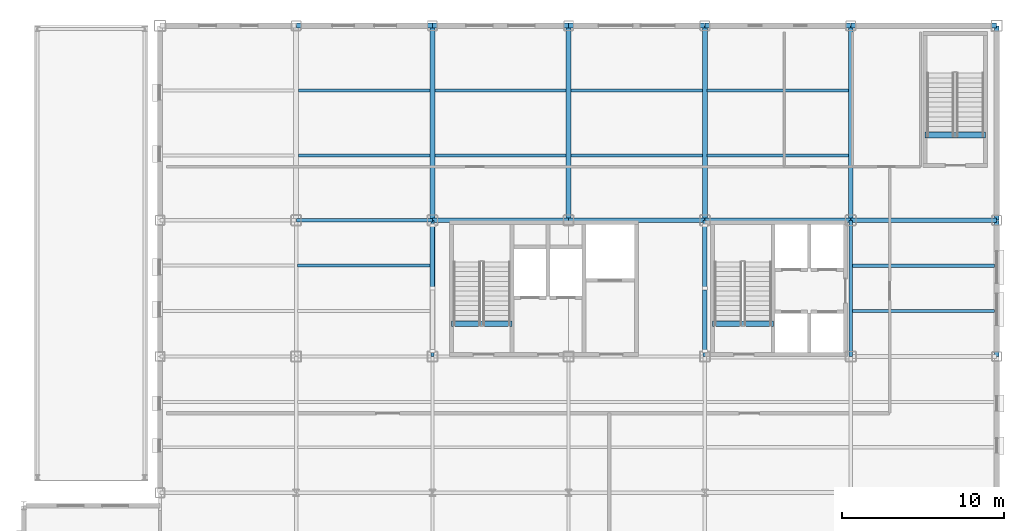
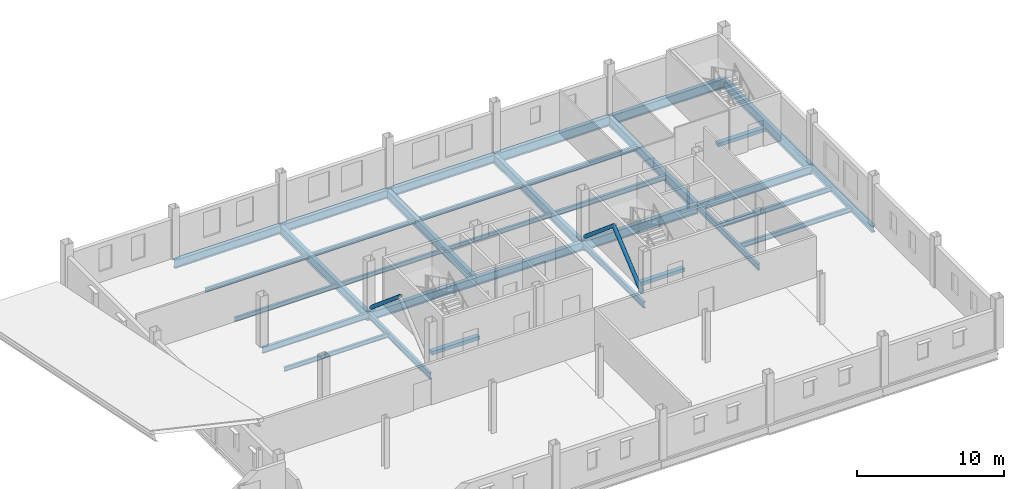
# One storey, part 38 of 75: 33 beams, 3 members.
"""IFC4 building model written with IfcOpenShell, lengths in metres."""

from ifc_helpers import new_model, si_unit, direction, frame, origin, origin_2d, place, context, subcontext, project, spatial, rectangle, hollow_circle, i_section, extrude, material, material_profile, profile_set, type_object, element, save


model = new_model("IFC4")

# Units and contexts
model_context = context("Model", 3, precision=1e-05, world=origin(), true_north=direction((0.0, 1.0)))
body_context = subcontext(model_context, "Body", "Model", "MODEL_VIEW")
ifc_project = project(units=[si_unit("LENGTHUNIT", "METRE"), si_unit("AREAUNIT", "SQUARE_METRE"), si_unit("VOLUMEUNIT", "CUBIC_METRE"), si_unit("PLANEANGLEUNIT", "RADIAN"), si_unit("MASSUNIT", "GRAM", prefix="KILO")], contexts=[model_context])

# Site, building, storey
site_placement = place(None, origin())
site = spatial("IfcSite", under=ifc_project, at=site_placement, CompositionType="ELEMENT")
building_placement = place(site_placement, origin())
building = spatial("IfcBuilding", under=site, at=building_placement, Name="Yukiwa Park Conservatory and Herbarium", CompositionType="ELEMENT")
storey_placement = place(building_placement, frame((0.0, 0.0, 4.800048828125)))
storey = spatial("IfcBuildingStorey", under=building, at=storey_placement, Name="L01", CompositionType="ELEMENT", Elevation=4.800048828125)

# Beams
ifc_material_1 = material(Name="Steel Q355D", Category="steel")
ifc_material_profile_1 = material_profile(ifc_material_1, i_section(OverallWidth=0.199951171875, OverallDepth=0.5, WebThickness=0.010009765625, FlangeThickness=0.01611328125, FilletRadius=0.02001953125, at=origin_2d()), Name="HN 500x200x10x16")
ifc_profile_set_1 = profile_set([ifc_material_profile_1], Name="Steel Q355D")
beam_type_1 = type_object("IfcBeamType", Name="BM-GRD-HN500", PredefinedType="BEAM", material=ifc_profile_set_1)
for number, where, z_axis, x_axis, name in (
    (1, (124.805908203125, 103.199951171875, -0.489990234375), (1.0, 0.0, 0.0), (0.0, 1.0, 0.0), "L01 grid beam X-86"),
    (2, (133.199951171875, 94.805908203125, -0.489990234375), (0.0, 1.0, 0.0), (-1.0, 0.0, 0.0), "L01 grid girder Y-166"),
    (3, (150.0, 94.805908203125, -0.489990234375), (0.0, 1.0, 0.0), (-1.0, 0.0, 0.0), "L01 grid girder Y-173"),
    (4, (159.0, 94.805908203125, -0.489990234375), (0.0, 1.0, 0.0), (-1.0, 0.0, 0.0), "L01 grid girder Y-177"),
):
    element("IfcBeam", number, at=place(storey_placement, frame(where, z_axis=z_axis, x_axis=x_axis)), inside=storey, type_object=beam_type_1, Name=name, PredefinedType="BEAM", context=body_context, shape_type="SweptSolid", body=[
        extrude(i_section(OverallWidth=0.199951171875, OverallDepth=0.5, WebThickness=0.010009765625, FlangeThickness=0.01611328125, FilletRadius=0.02001953125, at=origin_2d()), origin(), (0.0, 0.0, 1.0), 8.38818359375),
    ])
ifc_material_2 = material(Name="Steel Q355D", Category="steel")
ifc_material_profile_2 = material_profile(ifc_material_2, i_section(OverallWidth=0.25, OverallDepth=0.64990234375, WebThickness=0.011962890625, FlangeThickness=0.02001953125, FilletRadius=0.02392578125, at=origin_2d()), Name="HN 650x250x12x20")
ifc_profile_set_2 = profile_set([ifc_material_profile_2], Name="Steel Q355D")
beam_type_2 = type_object("IfcBeamType", Name="BM-GRD-HN650", PredefinedType="BEAM", material=ifc_profile_set_2)
beam_1_placement = place(storey_placement, frame((159.006103515625, 103.199951171875, -0.56494140625), z_axis=(1.0, 0.0, 0.0), x_axis=(0.0, 1.0, 0.0)))
element("IfcBeam", 5, at=beam_1_placement, inside=storey, type_object=beam_type_2, Name="L01 grid beam X-90", PredefinedType="BEAM", context=body_context, shape_type="SweptSolid", body=[
    extrude(i_section(OverallWidth=0.25, OverallDepth=0.64990234375, WebThickness=0.011962890625, FlangeThickness=0.02001953125, FilletRadius=0.02392578125, at=origin_2d()), origin(), (0.0, 0.0, 1.0), 8.98779296875),
])
ifc_material_3 = material(Name="Steel Q355D", Category="steel")
ifc_material_profile_3 = material_profile(ifc_material_3, i_section(OverallWidth=0.300048828125, OverallDepth=0.75, WebThickness=0.012939453125, FlangeThickness=0.02392578125, FilletRadius=0.028076171875, at=origin_2d()), Name="HN 750x300x13x24")
ifc_profile_set_3 = profile_set([ifc_material_profile_3], Name="Steel Q355D")
beam_type_3 = type_object("IfcBeamType", Name="BM-GRD-HN750", PredefinedType="BEAM", material=ifc_profile_set_3)
for number, where, z_axis, x_axis, name in (
    (6, (133.199951171875, 103.2060546875, -0.614990234375), (0.0, 1.0, 0.0), (-1.0, 0.0, 0.0), "L01 grid girder Y-167"),
    (7, (141.60009765625, 103.2060546875, -0.614990234375), (0.0, 1.0, 0.0), (-1.0, 0.0, 0.0), "L01 grid girder Y-170"),
    (8, (150.0, 103.2060546875, -0.614990234375), (0.0, 1.0, 0.0), (-1.0, 0.0, 0.0), "L01 grid girder Y-174"),
    (9, (159.0, 103.2060546875, -0.614990234375), (0.0, 1.0, 0.0), (-1.0, 0.0, 0.0), "L01 grid girder Y-178"),
):
    element("IfcBeam", number, at=place(storey_placement, frame(where, z_axis=z_axis, x_axis=x_axis)), inside=storey, type_object=beam_type_3, Name=name, PredefinedType="BEAM", context=body_context, shape_type="SweptSolid", body=[
        extrude(i_section(OverallWidth=0.300048828125, OverallDepth=0.75, WebThickness=0.012939453125, FlangeThickness=0.02392578125, FilletRadius=0.028076171875, at=origin_2d()), origin(), (0.0, 0.0, 1.0), 11.988037109375),
    ])
ifc_material_4 = material(Name="Steel Q355D", Category="steel")
ifc_material_profile_4 = material_profile(ifc_material_4, i_section(OverallWidth=0.175048828125, OverallDepth=0.35009765625, WebThickness=0.007080078125, FlangeThickness=0.010986328125, FilletRadius=0.013916015625, at=origin_2d()), Name="HN 350x175x7x11")
ifc_profile_set_4 = profile_set([ifc_material_profile_4], Name="Steel Q355D")
beam_type_4 = type_object("IfcBeamType", Name="BM-JST-HN350", PredefinedType="JOIST", material=ifc_profile_set_4)
beam_2_placement = place(storey_placement, frame((124.89599609375, 100.39990234375, -0.4150390625), z_axis=(1.0, 0.0, 0.0), x_axis=(0.0, 1.0, 0.0)))
element("IfcBeam", 10, at=beam_2_placement, inside=storey, type_object=beam_type_4, Name="L01 composite floor joist 60", PredefinedType="JOIST", context=body_context, shape_type="SweptSolid", body=[
    extrude(i_section(OverallWidth=0.175048828125, OverallDepth=0.35009765625, WebThickness=0.007080078125, FlangeThickness=0.010986328125, FilletRadius=0.013916015625, at=origin_2d()), origin(), (0.0, 0.0, 1.0), 8.2080078125),
])
for number, where, z_axis, x_axis, name in (
    (11, (124.946044921875, 107.199951171875, -0.4150390625), (1.0, 0.0, 0.0), (0.0, 1.0, 0.0), "L01 composite floor joist 61"),
    (12, (124.946044921875, 111.199951171875, -0.4150390625), (1.0, 0.0, 0.0), (0.0, 1.0, 0.0), "L01 composite floor joist 62"),
):
    element("IfcBeam", number, at=place(storey_placement, frame(where, z_axis=z_axis, x_axis=x_axis)), inside=storey, type_object=beam_type_4, Name=name, PredefinedType="JOIST", context=body_context, shape_type="SweptSolid", body=[
        extrude(i_section(OverallWidth=0.175048828125, OverallDepth=0.35009765625, WebThickness=0.007080078125, FlangeThickness=0.010986328125, FilletRadius=0.013916015625, at=origin_2d()), origin(), (0.0, 0.0, 1.0), 8.10791015625),
    ])
for number, where, z_axis, x_axis, name in (
    (13, (133.345947265625, 107.199951171875, -0.4150390625), (1.0, 0.0, 0.0), (0.0, 1.0, 0.0), "L01 composite floor joist 67"),
    (14, (133.345947265625, 111.199951171875, -0.4150390625), (1.0, 0.0, 0.0), (0.0, 1.0, 0.0), "L01 composite floor joist 68"),
):
    element("IfcBeam", number, at=place(storey_placement, frame(where, z_axis=z_axis, x_axis=x_axis)), inside=storey, type_object=beam_type_4, Name=name, PredefinedType="JOIST", context=body_context, shape_type="SweptSolid", body=[
        extrude(i_section(OverallWidth=0.175048828125, OverallDepth=0.35009765625, WebThickness=0.007080078125, FlangeThickness=0.010986328125, FilletRadius=0.013916015625, at=origin_2d()), origin(), (0.0, 0.0, 1.0), 8.108154296875),
    ])
for number, where, z_axis, x_axis, name in (
    (15, (141.74609375, 107.199951171875, -0.4150390625), (1.0, 0.0, 0.0), (0.0, 1.0, 0.0), "L01 composite floor joist 73"),
    (16, (141.74609375, 111.199951171875, -0.4150390625), (1.0, 0.0, 0.0), (0.0, 1.0, 0.0), "L01 composite floor joist 74"),
):
    element("IfcBeam", number, at=place(storey_placement, frame(where, z_axis=z_axis, x_axis=x_axis)), inside=storey, type_object=beam_type_4, Name=name, PredefinedType="JOIST", context=body_context, shape_type="SweptSolid", body=[
        extrude(i_section(OverallWidth=0.175048828125, OverallDepth=0.35009765625, WebThickness=0.007080078125, FlangeThickness=0.010986328125, FilletRadius=0.013916015625, at=origin_2d()), origin(), (0.0, 0.0, 1.0), 8.10791015625),
    ])
ifc_material_5 = material(Name="Steel Q355D", Category="steel")
ifc_material_profile_5 = material_profile(ifc_material_5, i_section(OverallWidth=0.199951171875, OverallDepth=0.39990234375, WebThickness=0.008056640625, FlangeThickness=0.012939453125, FilletRadius=0.01611328125, at=origin_2d()), Name="HN 400x200x8x13")
ifc_profile_set_5 = profile_set([ifc_material_profile_5], Name="Steel Q355D")
beam_type_5 = type_object("IfcBeamType", Name="BM-JST-HN400", PredefinedType="JOIST", material=ifc_profile_set_5)
for number, where, z_axis, x_axis, name in (
    (17, (150.14599609375, 107.199951171875, -0.43994140625), (1.0, 0.0, 0.0), (0.0, 1.0, 0.0), "L01 composite floor joist 79"),
    (18, (150.14599609375, 111.199951171875, -0.43994140625), (1.0, 0.0, 0.0), (0.0, 1.0, 0.0), "L01 composite floor joist 80"),
):
    element("IfcBeam", number, at=place(storey_placement, frame(where, z_axis=z_axis, x_axis=x_axis)), inside=storey, type_object=beam_type_5, Name=name, PredefinedType="JOIST", context=body_context, shape_type="SweptSolid", body=[
        extrude(i_section(OverallWidth=0.199951171875, OverallDepth=0.39990234375, WebThickness=0.008056640625, FlangeThickness=0.012939453125, FilletRadius=0.01611328125, at=origin_2d()), origin(), (0.0, 0.0, 1.0), 8.7080078125),
    ])
for number, where, z_axis, x_axis, name in (
    (19, (159.095947265625, 97.60009765625, -0.43994140625), (1.0, 0.0, 0.0), (0.0, 1.0, 0.0), "L01 composite floor joist 85"),
    (20, (159.095947265625, 100.39990234375, -0.43994140625), (1.0, 0.0, 0.0), (0.0, 1.0, 0.0), "L01 composite floor joist 86"),
):
    element("IfcBeam", number, at=place(storey_placement, frame(where, z_axis=z_axis, x_axis=x_axis)), inside=storey, type_object=beam_type_5, Name=name, PredefinedType="JOIST", context=body_context, shape_type="SweptSolid", body=[
        extrude(i_section(OverallWidth=0.199951171875, OverallDepth=0.39990234375, WebThickness=0.008056640625, FlangeThickness=0.012939453125, FilletRadius=0.01611328125, at=origin_2d()), origin(), (0.0, 0.0, 1.0), 8.758056640625),
    ])
ifc_material_6 = material(Name="Steel Q355D", Category="steel")
ifc_material_profile_6 = material_profile(ifc_material_6, i_section(OverallWidth=0.300048828125, OverallDepth=0.5, WebThickness=0.010986328125, FlangeThickness=0.01806640625, FilletRadius=0.02392578125, at=origin_2d()), Name="HM 500x300x11x18")
ifc_profile_set_6 = profile_set([ifc_material_profile_6], Name="Steel Q355D")
beam_type_6 = type_object("IfcBeamType", Name="BM-SPN-HN500", PredefinedType="SPANDREL", material=ifc_profile_set_6)
beam_3_placement = place(storey_placement, frame((168.0, 94.805908203125, -0.489990234375), z_axis=(0.0, 1.0, 0.0), x_axis=(-1.0, 0.0, 0.0)))
element("IfcBeam", 21, at=beam_3_placement, inside=storey, type_object=beam_type_6, Name="L01 spandrel girder Y-181", PredefinedType="SPANDREL", context=body_context, shape_type="SweptSolid", body=[
    extrude(i_section(OverallWidth=0.300048828125, OverallDepth=0.5, WebThickness=0.010986328125, FlangeThickness=0.01806640625, FilletRadius=0.02392578125, at=origin_2d()), origin(), (0.0, 0.0, 1.0), 8.38818359375),
])
ifc_material_7 = material(Name="Steel Q355D", Category="steel")
ifc_material_profile_7 = material_profile(ifc_material_7, i_section(OverallWidth=0.300048828125, OverallDepth=0.69189453125, WebThickness=0.012939453125, FlangeThickness=0.02001953125, FilletRadius=0.028076171875, at=origin_2d()), Name="HN 692x300x13x20")
ifc_profile_set_7 = profile_set([ifc_material_profile_7], Name="Steel Q355D")
beam_type_7 = type_object("IfcBeamType", Name="BM-SPN-HN550", PredefinedType="SPANDREL", material=ifc_profile_set_7)
for number, where, z_axis, x_axis, name in (
    (22, (133.2060546875, 103.199951171875, -0.5859375), (1.0, 0.0, 0.0), (0.0, 1.0, 0.0), "L01 spandrel beam X-87"),
    (23, (141.60595703125, 103.199951171875, -0.5859375), (1.0, 0.0, 0.0), (0.0, 1.0, 0.0), "L01 spandrel beam X-88"),
):
    element("IfcBeam", number, at=place(storey_placement, frame(where, z_axis=z_axis, x_axis=x_axis)), inside=storey, type_object=beam_type_7, Name=name, PredefinedType="SPANDREL", context=body_context, shape_type="SweptSolid", body=[
        extrude(i_section(OverallWidth=0.300048828125, OverallDepth=0.69189453125, WebThickness=0.012939453125, FlangeThickness=0.02001953125, FilletRadius=0.028076171875, at=origin_2d()), origin(), (0.0, 0.0, 1.0), 8.387939453125),
    ])
beam_4_placement = place(storey_placement, frame((124.805908203125, 115.199951171875, -0.5859375), z_axis=(1.0, 0.0, 0.0), x_axis=(0.0, 1.0, 0.0)))
element("IfcBeam", 24, at=beam_4_placement, inside=storey, type_object=beam_type_7, Name="L01 spandrel beam X-98", PredefinedType="SPANDREL", context=body_context, shape_type="SweptSolid", body=[
    extrude(i_section(OverallWidth=0.300048828125, OverallDepth=0.69189453125, WebThickness=0.012939453125, FlangeThickness=0.02001953125, FilletRadius=0.028076171875, at=origin_2d()), origin(), (0.0, 0.0, 1.0), 8.38818359375),
])
for number, where, z_axis, x_axis, name in (
    (25, (133.2060546875, 115.199951171875, -0.5859375), (1.0, 0.0, 0.0), (0.0, 1.0, 0.0), "L01 spandrel beam X-99"),
    (26, (141.60595703125, 115.199951171875, -0.5859375), (1.0, 0.0, 0.0), (0.0, 1.0, 0.0), "L01 spandrel beam X-100"),
):
    element("IfcBeam", number, at=place(storey_placement, frame(where, z_axis=z_axis, x_axis=x_axis)), inside=storey, type_object=beam_type_7, Name=name, PredefinedType="SPANDREL", context=body_context, shape_type="SweptSolid", body=[
        extrude(i_section(OverallWidth=0.300048828125, OverallDepth=0.69189453125, WebThickness=0.012939453125, FlangeThickness=0.02001953125, FilletRadius=0.028076171875, at=origin_2d()), origin(), (0.0, 0.0, 1.0), 8.387939453125),
    ])
ifc_material_8 = material(Name="Steel Q355D", Category="steel")
ifc_material_profile_8 = material_profile(ifc_material_8, i_section(OverallWidth=0.300048828125, OverallDepth=0.7919921875, WebThickness=0.013916015625, FlangeThickness=0.02197265625, FilletRadius=0.028076171875, at=origin_2d()), Name="HN 792x300x14x22")
ifc_profile_set_8 = profile_set([ifc_material_profile_8], Name="Steel Q355D")
beam_type_8 = type_object("IfcBeamType", Name="BM-SPN-HN600", PredefinedType="SPANDREL", material=ifc_profile_set_8)
for number, where, z_axis, x_axis, name in (
    (27, (150.006103515625, 103.199951171875, -0.635986328125), (1.0, 0.0, 0.0), (0.0, 1.0, 0.0), "L01 spandrel beam X-89"),
    (28, (150.006103515625, 115.199951171875, -0.635986328125), (1.0, 0.0, 0.0), (0.0, 1.0, 0.0), "L01 spandrel beam X-101"),
    (29, (159.006103515625, 115.199951171875, -0.635986328125), (1.0, 0.0, 0.0), (0.0, 1.0, 0.0), "L01 spandrel beam X-102"),
):
    element("IfcBeam", number, at=place(storey_placement, frame(where, z_axis=z_axis, x_axis=x_axis)), inside=storey, type_object=beam_type_8, Name=name, PredefinedType="SPANDREL", context=body_context, shape_type="SweptSolid", body=[
        extrude(i_section(OverallWidth=0.300048828125, OverallDepth=0.7919921875, WebThickness=0.013916015625, FlangeThickness=0.02197265625, FilletRadius=0.028076171875, at=origin_2d()), origin(), (0.0, 0.0, 1.0), 8.98779296875),
    ])
beam_5_placement = place(storey_placement, frame((168.0, 103.2060546875, -0.635986328125), z_axis=(0.0, 1.0, 0.0), x_axis=(-1.0, 0.0, 0.0)))
element("IfcBeam", 30, at=beam_5_placement, inside=storey, type_object=beam_type_8, Name="L01 spandrel girder Y-182", PredefinedType="SPANDREL", context=body_context, shape_type="SweptSolid", body=[
    extrude(i_section(OverallWidth=0.300048828125, OverallDepth=0.7919921875, WebThickness=0.013916015625, FlangeThickness=0.02197265625, FilletRadius=0.028076171875, at=origin_2d()), origin(), (0.0, 0.0, 1.0), 11.988037109375),
])
ifc_material_9 = material(Name="Concrete C40", Category="concrete")
ifc_material_profile_9 = material_profile(ifc_material_9, rectangle(XDim=0.35009765625, YDim=0.300048828125, at=origin_2d()), Name="RC 350x300")
ifc_profile_set_9 = profile_set([ifc_material_profile_9], Name="Concrete C40")
beam_type_9 = type_object("IfcBeamType", Name="BM-STAIR-TRIM", PredefinedType="BEAM", material=ifc_profile_set_9)
for number, where, z_axis, x_axis, name in (
    (31, (134.3701171875, 96.81005859375, -0.150146484375), (1.0, 0.0, 0.0), (0.0, 1.0, 0.0), "Stair ST-T1 L01 landing trimmer beam"),
    (32, (150.47998046875, 96.81005859375, -0.150146484375), (1.0, 0.0, 0.0), (0.0, 1.0, 0.0), "Stair ST-T2 L01 landing trimmer beam"),
    (33, (163.570068359375, 108.4599609375, -0.150146484375), (1.0, 0.0, 0.0), (0.0, 1.0, 0.0), "Stair ST-T3 L01 landing trimmer beam"),
):
    element("IfcBeam", number, at=place(storey_placement, frame(where, z_axis=z_axis, x_axis=x_axis)), inside=storey, type_object=beam_type_9, Name=name, PredefinedType="BEAM", context=body_context, shape_type="SweptSolid", body=[
        extrude(rectangle(XDim=0.35009765625, YDim=0.300048828125, at=origin_2d()), origin(), (0.0, 0.0, 1.0), 3.75),
    ])

# Members
ifc_material_10 = material(Name="Steel Q355D", Category="steel")
ifc_material_profile_10 = material_profile(ifc_material_10, hollow_circle(Radius=0.149169921875, WallThickness=0.011962890625, at=origin_2d()), Name="CHS 298.5x12")
ifc_profile_set_10 = profile_set([ifc_material_profile_10], Name="Steel Q355D")
member_type = type_object("IfcMemberType", Name="MB-BR-CHS298", PredefinedType="BRACE", material=ifc_profile_set_10)
for number, where, z_axis, x_axis, name in (
    (34, (133.199951171875, 102.87646484375, 0.321533203125), (0.0, -0.765503478343, 0.643431756012), (1.0, 0.0, 0.0), "L01 concentric chevron brace 10"),
    (35, (150.0, 95.12353515625, 0.321533203125), (0.0, 0.765503478343, 0.643431756012), (-1.0, 0.0, 0.0), "L01 concentric chevron brace 11"),
    (36, (150.0, 102.87646484375, 0.321533203125), (0.0, -0.765503478343, 0.643431756012), (1.0, 0.0, 0.0), "L01 concentric chevron brace 12"),
):
    element("IfcMember", number, at=place(storey_placement, frame(where, z_axis=z_axis, x_axis=x_axis)), inside=storey, type_object=member_type, Name=name, PredefinedType="BRACE", context=body_context, shape_type="SweptSolid", body=[
        extrude(hollow_circle(Radius=0.149169921875, WallThickness=0.011962890625, at=origin_2d()), origin(), (0.0, 0.0, 1.0), 5.06396484375),
    ])

save(model, "model.ifc")
